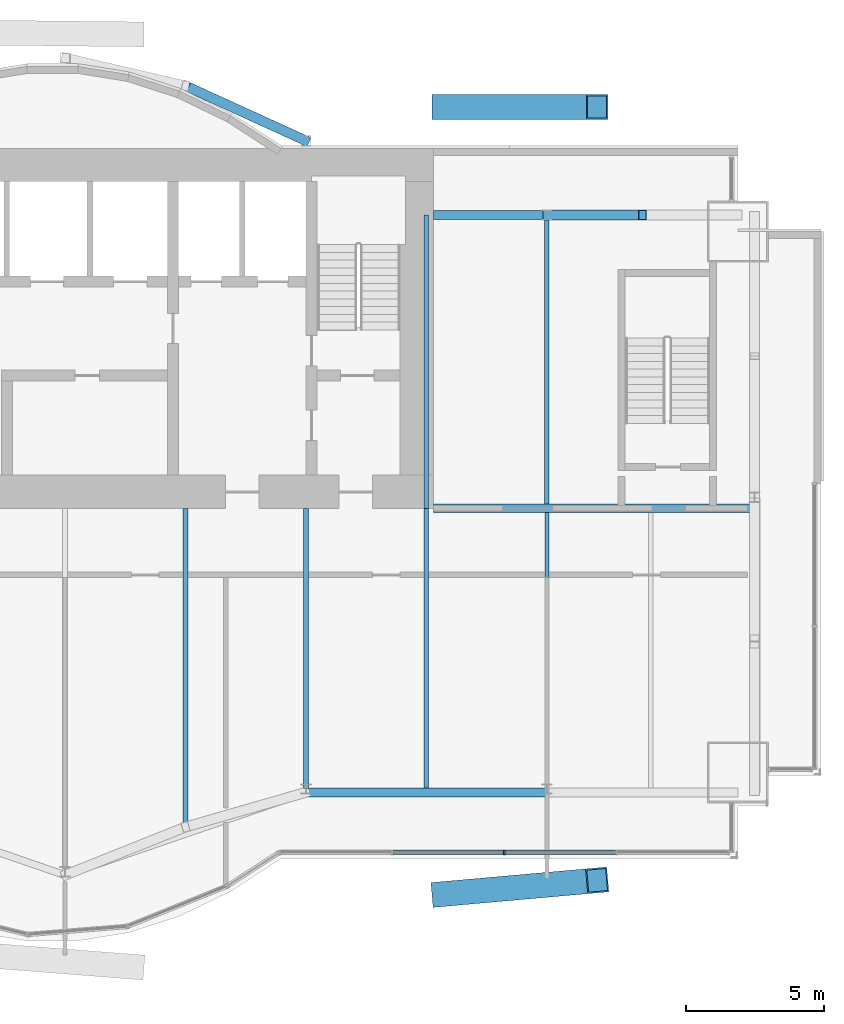
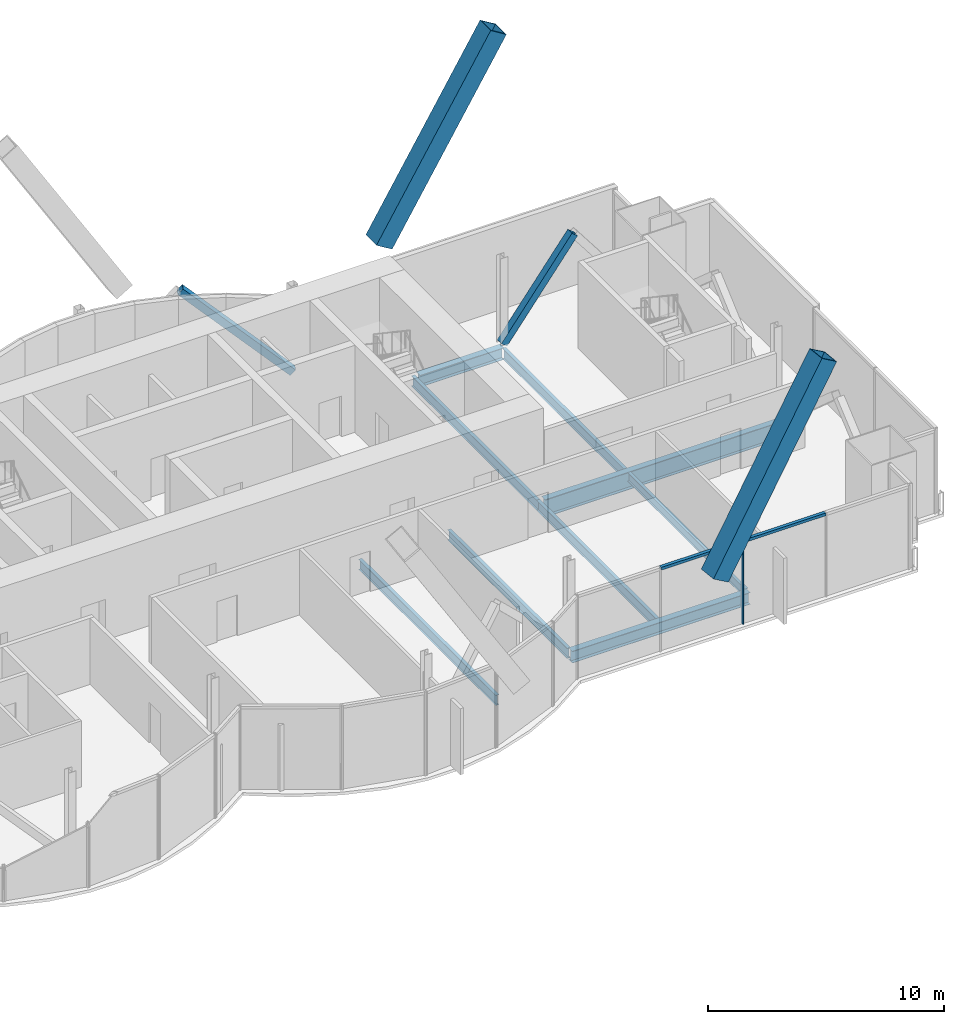
# One storey, part 9 of 19: 9 beams, 7 members, 1 element without a shape of its own.
"""IFC4 building model written with IfcOpenShell, lengths in metres."""

from ifc_helpers import new_model, si_unit, direction, frame, origin, origin_2d, place, context, subcontext, project, spatial, rectangle, hollow_rectangle, i_section, extrude, material, material_profile, profile_set, type_object, element, aggregate, save


model = new_model("IFC4")

# Units and contexts
model_context = context("Model", 3, precision=1e-05, world=origin(), true_north=direction((0.0, 1.0)))
body_context = subcontext(model_context, "Body", "Model", "MODEL_VIEW")
ifc_project = project(units=[si_unit("LENGTHUNIT", "METRE"), si_unit("AREAUNIT", "SQUARE_METRE"), si_unit("VOLUMEUNIT", "CUBIC_METRE"), si_unit("PLANEANGLEUNIT", "RADIAN"), si_unit("MASSUNIT", "GRAM", prefix="KILO")], contexts=[model_context])

# Site, building, storey
site_placement = place(None, origin())
site = spatial("IfcSite", under=ifc_project, at=site_placement, CompositionType="ELEMENT")
building_placement = place(site_placement, origin())
building = spatial("IfcBuilding", under=site, at=building_placement, Name="Bicima Exchange Tower", CompositionType="ELEMENT")
storey_placement = place(building_placement, frame((0.0, 0.0, 324.5)))
storey = spatial("IfcBuildingStorey", under=building, at=storey_placement, Name="L73", CompositionType="ELEMENT", Elevation=324.5)

# Beam
ifc_material_1 = material(Name="Steel ASTM A992 Gr 50", Category="steel")
ifc_material_profile_1 = material_profile(ifc_material_1, i_section(OverallWidth=0.3046875, OverallDepth=0.911865234375, WebThickness=0.015869140625, FlangeThickness=0.02392578125, at=origin_2d()))
ifc_profile_set_1 = profile_set([ifc_material_profile_1], Name="Steel ASTM A992 Gr 50")
beam_type_1 = type_object("IfcBeamType", Name="Core-line girder W36x150", PredefinedType="BEAM", material=ifc_profile_set_1)
beam_1_placement = place(storey_placement, frame((22.0, -13.0, -0.60595703125), z_axis=(1.0, 0.0, 0.0), x_axis=(0.0, 1.0, 0.0)))
element("IfcBeam", 1, at=beam_1_placement, inside=storey, type_object=beam_type_1, Name="Core-line girder", PredefinedType="BEAM", context=body_context, shape_type="SweptSolid", body=[
    extrude(i_section(OverallWidth=0.3046875, OverallDepth=0.911865234375, WebThickness=0.015869140625, FlangeThickness=0.02392578125, at=origin_2d()), origin(), (0.0, 0.0, 1.0), 11.60009765625),
])

# Members
ifc_material_2 = material(Name="Steel ASTM A572 Gr 50", Category="steel")
ifc_material_profile_2 = material_profile(ifc_material_2, hollow_rectangle(XDim=0.89990234375, YDim=0.89990234375, WallThickness=0.050048828125, at=origin_2d()))
ifc_profile_set_2 = profile_set([ifc_material_profile_2], Name="Steel ASTM A572 Gr 50")
member_type_1 = type_object("IfcMemberType", Name="Exo mega brace BOX 900x900x50", PredefinedType="BRACE", material=ifc_profile_set_2)
member_1_placement = place(storey_placement, frame((22.333251953125, -26.926025390625, 4.166748046875), z_axis=(0.520686487189, 0.046217471316, 0.852496057119), x_axis=(-0.088414952813, 0.996083729472, 0.0)))
element("IfcMember", 2, at=member_1_placement, inside=storey, type_object=member_type_1, Name="Exo mega brace front", PredefinedType="BRACE", context=body_context, shape_type="SweptSolid", body=[
    extrude(hollow_rectangle(XDim=0.89990234375, YDim=0.89990234375, WallThickness=0.050048828125, at=origin_2d()), origin(), (0.0, 0.0, 1.0), 10.723388671875),
])
member_2_placement = place(storey_placement, frame((22.333251953125, 1.5, 4.166748046875), z_axis=(0.521243487082, 0.0, 0.853408007447), x_axis=(0.0, 1.0, 0.0)))
element("IfcMember", 3, at=member_2_placement, inside=storey, type_object=member_type_1, Name="Exo mega brace rear", PredefinedType="BRACE", context=body_context, shape_type="SweptSolid", body=[
    extrude(hollow_rectangle(XDim=0.89990234375, YDim=0.89990234375, WallThickness=0.050048828125, at=origin_2d()), origin(), (0.0, 0.0, 1.0), 10.7119140625),
])

# Beams
ifc_material_profile_3 = material_profile(ifc_material_1, i_section(OverallWidth=0.15283203125, OverallDepth=0.45458984375, WebThickness=0.008056640625, FlangeThickness=0.013427734375, at=origin_2d()))
ifc_profile_set_3 = profile_set([ifc_material_profile_3], Name="Steel ASTM A992 Gr 50")
beam_type_2 = type_object("IfcBeamType", Name="Floor beam W18x40", PredefinedType="JOIST", material=ifc_profile_set_3)
beam_2_placement = place(storey_placement, frame((26.10009765625, -13.15234375, -0.377197265625), z_axis=(0.0, -1.0, 0.0), x_axis=(1.0, 0.0, 0.0)))
element("IfcBeam", 4, at=beam_2_placement, inside=storey, type_object=beam_type_2, Name="Floor beam", PredefinedType="JOIST", context=body_context, shape_type="SweptSolid", body=[
    extrude(i_section(OverallWidth=0.15283203125, OverallDepth=0.45458984375, WebThickness=0.008056640625, FlangeThickness=0.013427734375, at=origin_2d()), origin(), (0.0, 0.0, 1.0), 9.93701171875),
])
ifc_material_profile_4 = material_profile(ifc_material_1, i_section(OverallWidth=0.165771484375, OverallDepth=0.5283203125, WebThickness=0.009765625, FlangeThickness=0.013671875, at=origin_2d()))
ifc_profile_set_4 = profile_set([ifc_material_profile_4], Name="Steel ASTM A992 Gr 50")
beam_type_3 = type_object("IfcBeamType", Name="Floor beam W21x50", PredefinedType="JOIST", material=ifc_profile_set_4)
beam_3_placement = place(storey_placement, frame((13.050048828125, -13.0, -0.414306640625), z_axis=(0.0, -1.0, 0.0), x_axis=(1.0, 0.0, 0.0)))
element("IfcBeam", 5, at=beam_3_placement, inside=storey, type_object=beam_type_3, Name="Floor beam", PredefinedType="JOIST", context=body_context, shape_type="SweptSolid", body=[
    extrude(i_section(OverallWidth=0.165771484375, OverallDepth=0.5283203125, WebThickness=0.009765625, FlangeThickness=0.013671875, at=origin_2d()), origin(), (0.0, 0.0, 1.0), 11.61181640625),
])
beam_4_placement = place(storey_placement, frame((17.39990234375, -13.0, -0.414306640625), z_axis=(0.0, -1.0, 0.0), x_axis=(1.0, 0.0, 0.0)))
element("IfcBeam", 6, at=beam_4_placement, inside=storey, type_object=beam_type_3, Name="Floor beam", PredefinedType="JOIST", context=body_context, shape_type="SweptSolid", body=[
    extrude(i_section(OverallWidth=0.165771484375, OverallDepth=0.5283203125, WebThickness=0.009765625, FlangeThickness=0.013671875, at=origin_2d()), origin(), (0.0, 0.0, 1.0), 10.116455078125),
])
beam_5_placement = place(storey_placement, frame((21.75, -2.39990234375, -0.414306640625), z_axis=(0.0, -1.0, 0.0), x_axis=(1.0, 0.0, 0.0)))
element("IfcBeam", 7, at=beam_5_placement, inside=storey, type_object=beam_type_3, Name="Floor beam", PredefinedType="JOIST", context=body_context, shape_type="SweptSolid", body=[
    extrude(i_section(OverallWidth=0.165771484375, OverallDepth=0.5283203125, WebThickness=0.009765625, FlangeThickness=0.013671875, at=origin_2d()), origin(), (0.0, 0.0, 1.0), 10.60009765625),
])
beam_6_placement = place(storey_placement, frame((21.75, -13.0, -0.414306640625), z_axis=(0.0, -1.0, 0.0), x_axis=(1.0, 0.0, 0.0)))
element("IfcBeam", 8, at=beam_6_placement, inside=storey, type_object=beam_type_3, Name="Floor beam", PredefinedType="JOIST", context=body_context, shape_type="SweptSolid", body=[
    extrude(i_section(OverallWidth=0.165771484375, OverallDepth=0.5283203125, WebThickness=0.009765625, FlangeThickness=0.013671875, at=origin_2d()), origin(), (0.0, 0.0, 1.0), 10.08935546875),
])
beam_7_placement = place(storey_placement, frame((26.10009765625, -2.5625, -0.414306640625), z_axis=(0.0, -1.0, 0.0), x_axis=(1.0, 0.0, 0.0)))
element("IfcBeam", 9, at=beam_7_placement, inside=storey, type_object=beam_type_3, Name="Floor beam", PredefinedType="JOIST", context=body_context, shape_type="SweptSolid", body=[
    extrude(i_section(OverallWidth=0.165771484375, OverallDepth=0.5283203125, WebThickness=0.009765625, FlangeThickness=0.013671875, at=origin_2d()), origin(), (0.0, 0.0, 1.0), 10.28515625),
])
ifc_material_profile_5 = material_profile(ifc_material_1, i_section(OverallWidth=0.3251953125, OverallDepth=0.612060546875, WebThickness=0.0126953125, FlangeThickness=0.01904296875, at=origin_2d()))
ifc_profile_set_5 = profile_set([ifc_material_profile_5], Name="Steel ASTM A992 Gr 50")
beam_type_4 = type_object("IfcBeamType", Name="Front girder W24x104", PredefinedType="BEAM", material=ifc_profile_set_5)
beam_8_placement = place(storey_placement, frame((17.39990234375, -23.251953125, -0.4560546875), z_axis=(1.0, 0.0, 0.0), x_axis=(0.0, 1.0, 0.0)))
element("IfcBeam", 10, at=beam_8_placement, inside=storey, type_object=beam_type_4, Name="Front girder", PredefinedType="BEAM", context=body_context, shape_type="SweptSolid", body=[
    extrude(i_section(OverallWidth=0.3251953125, OverallDepth=0.612060546875, WebThickness=0.0126953125, FlangeThickness=0.01904296875, at=origin_2d()), origin(), (0.0, 0.0, 1.0), 8.7001953125),
])

# Curtain wall, members
ifc_material_3 = material(Name="Anodised bronze aluminium", Category="aluminium")
curtain_wall_type = type_object("IfcCurtainWallType", Name="Front glass wall", PredefinedType="NOTDEFINED", material=ifc_material_3)
curtain_wall_placement = place(storey_placement, origin())
curtain_wall = element("IfcCurtainWall", 11, at=curtain_wall_placement, inside=storey, type_object=curtain_wall_type, Name="Front glass wall L73 run 16", PredefinedType="NOTDEFINED")
ifc_material_profile_6 = material_profile(ifc_material_3, rectangle(XDim=0.159912109375, YDim=0.06005859375, at=origin_2d()))
ifc_profile_set_6 = profile_set([ifc_material_profile_6], Name="Anodised bronze aluminium")
member_type_2 = type_object("IfcMemberType", Name="Front glass wall mullion 60 x 160", PredefinedType="MULLION", material=ifc_profile_set_6)
member_3_placement = place(storey_placement, frame((24.56103515625, -25.422119140625, 0.0), z_axis=(0.0, 0.0, 1.0), x_axis=(0.0, 1.0, 0.0)))
member_3 = element("IfcMember", 12, at=member_3_placement, type_object=member_type_2, Name="Front glass wall mullion 3", PredefinedType="MULLION", context=body_context, shape_type="SweptSolid", body=[
    extrude(rectangle(XDim=0.159912109375, YDim=0.06005859375, at=origin_2d()), origin(), (0.0, 0.0, 1.0), 4.35009765625),
])
ifc_material_profile_7 = material_profile(ifc_material_3, rectangle(XDim=0.159912109375, YDim=0.139892578125, at=origin_2d()))
ifc_profile_set_7 = profile_set([ifc_material_profile_7], Name="Anodised bronze aluminium")
member_type_3 = type_object("IfcMemberType", Name="Front glass wall transom 140 x 160", PredefinedType="USERDEFINED", material=ifc_profile_set_7)
member_4_placement = place(storey_placement, frame((20.54150390625, -25.422119140625, 4.280029296875), z_axis=(1.0, 0.0, 0.0), x_axis=(0.0, 1.0, 0.0)))
member_4 = element("IfcMember", 13, at=member_4_placement, type_object=member_type_3, Name="Front glass wall transom 2.1", ObjectType="TRANSOM", PredefinedType="USERDEFINED", context=body_context, shape_type="SweptSolid", body=[
    extrude(rectangle(XDim=0.159912109375, YDim=0.139892578125, at=origin_2d()), origin(), (0.0, 0.0, 1.0), 3.989501953125),
])
member_5_placement = place(storey_placement, frame((24.591064453125, -25.422119140625, 4.280029296875), z_axis=(1.0, 0.0, 0.0), x_axis=(0.0, 1.0, 0.0)))
member_5 = element("IfcMember", 14, at=member_5_placement, type_object=member_type_3, Name="Front glass wall transom 3.1", ObjectType="TRANSOM", PredefinedType="USERDEFINED", context=body_context, shape_type="SweptSolid", body=[
    extrude(rectangle(XDim=0.159912109375, YDim=0.139892578125, at=origin_2d()), origin(), (0.0, 0.0, 1.0), 3.989501953125),
])
aggregate(curtain_wall, [member_3, member_4, member_5])

# Members
ifc_material_profile_8 = material_profile(ifc_material_2, hollow_rectangle(XDim=0.355712890625, YDim=0.355712890625, WallThickness=0.01171875, at=origin_2d()))
ifc_profile_set_8 = profile_set([ifc_material_profile_8], Name="Steel ASTM A572 Gr 50")
member_type_4 = type_object("IfcMemberType", Name="Mega brace HSS14x14x1/2", PredefinedType="BRACE", material=ifc_profile_set_8)
member_6_placement = place(storey_placement, frame((17.39990234375, 0.278076171875, 0.0), z_axis=(-0.662507516739, 0.302231638101, 0.685375683254), x_axis=(-0.415045223819, -0.909800781592, 0.0)))
element("IfcMember", 15, at=member_6_placement, inside=storey, type_object=member_type_4, Name="Mega brace rexo", PredefinedType="BRACE", context=body_context, shape_type="SweptSolid", body=[
    extrude(hollow_rectangle(XDim=0.355712890625, YDim=0.355712890625, WallThickness=0.01171875, at=origin_2d()), origin(), (0.0, 0.0, 1.0), 6.565673828125),
])
member_7_placement = place(storey_placement, frame((26.10009765625, -2.39990234375, 0.0), z_axis=(0.608426120198, 0.0, 0.793610519248), x_axis=(0.0, 1.0, 0.0)))
element("IfcMember", 16, at=member_7_placement, inside=storey, type_object=member_type_4, Name="Mega brace rear", PredefinedType="BRACE", context=body_context, shape_type="SweptSolid", body=[
    extrude(hollow_rectangle(XDim=0.355712890625, YDim=0.355712890625, WallThickness=0.01171875, at=origin_2d()), origin(), (0.0, 0.0, 1.0), 5.670166015625),
])

# Beam
beam_type_5 = type_object("IfcBeamType", Name="Rear girder W24x104", PredefinedType="BEAM", material=ifc_profile_set_5)
beam_9_placement = place(storey_placement, frame((22.0, -2.39990234375, -0.4560546875), z_axis=(1.0, 0.0, 0.0), x_axis=(0.0, 1.0, 0.0)))
element("IfcBeam", 17, at=beam_9_placement, inside=storey, type_object=beam_type_5, Name="Rear girder", PredefinedType="BEAM", context=body_context, shape_type="SweptSolid", body=[
    extrude(i_section(OverallWidth=0.3251953125, OverallDepth=0.612060546875, WebThickness=0.0126953125, FlangeThickness=0.01904296875, at=origin_2d()), origin(), (0.0, 0.0, 1.0), 4.10009765625),
])

save(model, "model.ifc")
